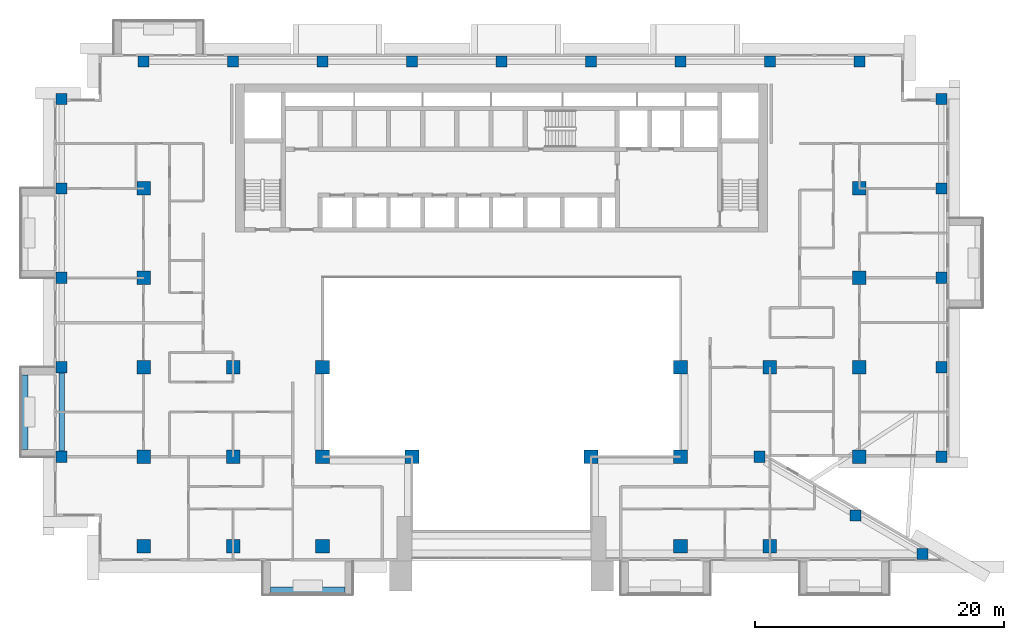
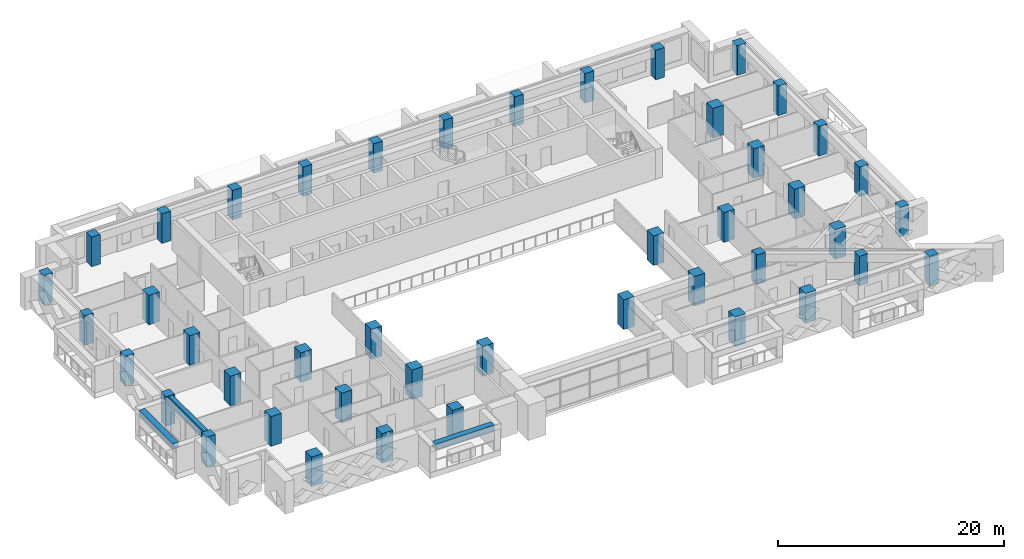
# One storey, part 1 of 20: 44 columns, 3 beams.
"""IFC4 building model written with IfcOpenShell, lengths in metres."""

from ifc_helpers import new_model, si_unit, direction, frame, origin, origin_2d, place, context, subcontext, project, spatial, rectangle, extrude, source, transform, mapped, material, material_profile, profile_set, type_object, element, save


model = new_model("IFC4")

# Units and contexts
model_context = context("Model", 3, precision=1e-05, world=origin(), true_north=direction((0.0, 1.0)))
body_context = subcontext(model_context, "Body", "Model", "MODEL_VIEW")
ifc_project = project(units=[si_unit("LENGTHUNIT", "METRE"), si_unit("AREAUNIT", "SQUARE_METRE"), si_unit("VOLUMEUNIT", "CUBIC_METRE"), si_unit("PLANEANGLEUNIT", "RADIAN"), si_unit("MASSUNIT", "GRAM", prefix="KILO")], contexts=[model_context])

# Site, building, storey
site_placement = place(None, origin())
site = spatial("IfcSite", under=ifc_project, at=site_placement, CompositionType="ELEMENT")
building_placement = place(site_placement, origin())
building = spatial("IfcBuilding", under=site, at=building_placement, Name="Saffron Iwan Residences", CompositionType="ELEMENT")
storey_placement = place(building_placement, frame((0.0, 0.0, 130.5)))
storey = spatial("IfcBuildingStorey", under=building, at=storey_placement, Name="L34", CompositionType="ELEMENT", Elevation=130.5)

# Columns
ifc_material_1 = material(Name="Concrete C50/60", Category="concrete")
ifc_material_profile_1 = material_profile(ifc_material_1, rectangle(XDim=1.10009765625, YDim=1.10009765625, at=origin_2d()), Name="RC 1100x1100")
ifc_profile_set_1 = profile_set([ifc_material_profile_1], Name="Concrete C50/60")
column_type_1 = type_object("IfcColumnType", Name="COL RC 1100x1100 C50/60 3200 HIGH", PredefinedType="COLUMN", material=ifc_profile_set_1)
shared_shape_1 = source(origin(), body_context, "Body", "SweptSolid", [
    extrude(rectangle(XDim=1.10009765625, YDim=1.10009765625, at=origin_2d()), origin(), (0.0, 0.0, 1.0), 3.199951171875),
])
for number, where, z_axis, x_axis, name in (
    (1, (21.60009765625, 40.800048828125, 0.0), (0.0, 0.0, 1.0), (1.0, 0.0, 0.0), "Column C049"),
    (2, (28.800048828125, 40.800048828125, 0.0), (0.0, 0.0, 1.0), (1.0, 0.0, 0.0), "Column C051"),
    (3, (36.0, 40.800048828125, 0.0), (0.0, 0.0, 1.0), (1.0, 0.0, 0.0), "Column C052"),
    (4, (64.800048828125, 40.800048828125, 0.0), (0.0, 0.0, 1.0), (1.0, 0.0, 0.0), "Column C055"),
    (5, (72.0, 40.800048828125, 0.0), (0.0, 0.0, 1.0), (1.0, 0.0, 0.0), "Column C056"),
    (6, (21.60009765625, 48.0, 0.0), (0.0, 0.0, 1.0), (1.0, 0.0, 0.0), "Column C063"),
    (7, (28.800048828125, 48.0, 0.0), (0.0, 0.0, 1.0), (1.0, 0.0, 0.0), "Column C064"),
    (8, (36.0, 48.0, 0.0), (0.0, 0.0, 1.0), (1.0, 0.0, 0.0), "Column C065"),
    (9, (43.199951171875, 48.0, 0.0), (0.0, 0.0, 1.0), (1.0, 0.0, 0.0), "Column C066"),
    (10, (57.60009765625, 48.0, 0.0), (0.0, 0.0, 1.0), (1.0, 0.0, 0.0), "Column C068"),
    (11, (64.800048828125, 48.0, 0.0), (0.0, 0.0, 1.0), (1.0, 0.0, 0.0), "Column C069"),
    (12, (79.199951171875, 48.0, 0.0), (0.0, 0.0, 1.0), (1.0, 0.0, 0.0), "Column C072"),
    (13, (21.60009765625, 55.199951171875, 0.0), (0.0, 0.0, 1.0), (1.0, 0.0, 0.0), "Column C079"),
    (14, (28.800048828125, 55.199951171875, 0.0), (0.0, 0.0, 1.0), (1.0, 0.0, 0.0), "Column C080"),
    (15, (36.0, 55.199951171875, 0.0), (0.0, 0.0, 1.0), (1.0, 0.0, 0.0), "Column C081"),
    (16, (64.800048828125, 55.199951171875, 0.0), (0.0, 0.0, 1.0), (1.0, 0.0, 0.0), "Column C082"),
    (17, (72.0, 55.199951171875, 0.0), (0.0, 0.0, 1.0), (1.0, 0.0, 0.0), "Column C083"),
    (18, (79.199951171875, 55.199951171875, 0.0), (0.0, 0.0, 1.0), (1.0, 0.0, 0.0), "Column C084"),
    (19, (21.60009765625, 62.39990234375, 0.0), (0.0, 0.0, 1.0), (1.0, 0.0, 0.0), "Column C091"),
    (20, (79.199951171875, 62.39990234375, 0.0), (0.0, 0.0, 1.0), (1.0, 0.0, 0.0), "Column C092"),
    (21, (21.60009765625, 69.60009765625, 0.0), (0.0, 0.0, 1.0), (1.0, 0.0, 0.0), "Column C099"),
    (22, (79.199951171875, 69.60009765625, 0.0), (0.0, 0.0, 1.0), (1.0, 0.0, 0.0), "Column C100"),
):
    element("IfcColumn", number, at=place(storey_placement, frame(where, z_axis=z_axis, x_axis=x_axis)), inside=storey, type_object=column_type_1, Name=name, PredefinedType="COLUMN", context=body_context, shape_type="MappedRepresentation", body=[
        mapped(shared_shape_1, transform((0.0, 0.0, 0.0))),
    ])
ifc_material_profile_2 = material_profile(ifc_material_1, rectangle(XDim=0.89990234375, YDim=0.89990234375, at=origin_2d()), Name="RC 900x900")
ifc_profile_set_2 = profile_set([ifc_material_profile_2], Name="Concrete C50/60")
column_type_2 = type_object("IfcColumnType", Name="COL RC 900x900 C50/60 3200 HIGH", PredefinedType="COLUMN", material=ifc_profile_set_2)
shared_shape_2 = source(origin(), body_context, "Body", "SweptSolid", [
    extrude(rectangle(XDim=0.89990234375, YDim=0.89990234375, at=origin_2d()), origin(), (0.0, 0.0, 1.0), 3.199951171875),
])
for number, where, z_axis, x_axis, name in (
    (23, (84.276123046875, 40.17431640625, 0.0), (0.0, 0.0, 1.0), (1.0, 0.0, 0.0), "Column C045"),
    (24, (78.897705078125, 43.28173828125, 0.0), (0.0, 0.0, 1.0), (1.0, 0.0, 0.0), "Column C058"),
    (25, (15.0, 48.0, 0.0), (0.0, 0.0, 1.0), (1.0, 0.0, 0.0), "Column C061"),
    (26, (71.14990234375, 48.0, 0.0), (0.0, 0.0, 1.0), (1.0, 0.0, 0.0), "Column C070"),
    (27, (85.800048828125, 48.0, 0.0), (0.0, 0.0, 1.0), (1.0, 0.0, 0.0), "Column C074"),
    (28, (15.0, 55.199951171875, 0.0), (0.0, 0.0, 1.0), (1.0, 0.0, 0.0), "Column C077"),
    (29, (85.800048828125, 55.199951171875, 0.0), (0.0, 0.0, 1.0), (1.0, 0.0, 0.0), "Column C086"),
    (30, (15.0, 62.39990234375, 0.0), (0.0, 0.0, 1.0), (1.0, 0.0, 0.0), "Column C089"),
    (31, (85.800048828125, 62.39990234375, 0.0), (0.0, 0.0, 1.0), (1.0, 0.0, 0.0), "Column C094"),
    (32, (15.0, 69.60009765625, 0.0), (0.0, 0.0, 1.0), (1.0, 0.0, 0.0), "Column C097"),
    (33, (85.800048828125, 69.60009765625, 0.0), (0.0, 0.0, 1.0), (1.0, 0.0, 0.0), "Column C102"),
    (34, (15.0, 76.800048828125, 0.0), (0.0, 0.0, 1.0), (1.0, 0.0, 0.0), "Column C105"),
    (35, (85.800048828125, 76.800048828125, 0.0), (0.0, 0.0, 1.0), (1.0, 0.0, 0.0), "Column C110"),
    (36, (21.60009765625, 79.800048828125, 0.0), (0.0, 0.0, 1.0), (1.0, 0.0, 0.0), "Column C113"),
    (37, (28.800048828125, 79.800048828125, 0.0), (0.0, 0.0, 1.0), (1.0, 0.0, 0.0), "Column C115"),
    (38, (36.0, 79.800048828125, 0.0), (0.0, 0.0, 1.0), (1.0, 0.0, 0.0), "Column C116"),
    (39, (43.199951171875, 79.800048828125, 0.0), (0.0, 0.0, 1.0), (1.0, 0.0, 0.0), "Column C117"),
    (40, (50.39990234375, 79.800048828125, 0.0), (0.0, 0.0, 1.0), (1.0, 0.0, 0.0), "Column C118"),
    (41, (57.60009765625, 79.800048828125, 0.0), (0.0, 0.0, 1.0), (1.0, 0.0, 0.0), "Column C119"),
    (42, (64.800048828125, 79.800048828125, 0.0), (0.0, 0.0, 1.0), (1.0, 0.0, 0.0), "Column C120"),
    (43, (72.0, 79.800048828125, 0.0), (0.0, 0.0, 1.0), (1.0, 0.0, 0.0), "Column C121"),
    (44, (79.199951171875, 79.800048828125, 0.0), (0.0, 0.0, 1.0), (1.0, 0.0, 0.0), "Column C123"),
):
    element("IfcColumn", number, at=place(storey_placement, frame(where, z_axis=z_axis, x_axis=x_axis)), inside=storey, type_object=column_type_2, Name=name, PredefinedType="COLUMN", context=body_context, shape_type="MappedRepresentation", body=[
        mapped(shared_shape_2, transform((0.0, 0.0, 0.0))),
    ])

# Beams
ifc_material_profile_3 = material_profile(ifc_material_1, rectangle(XDim=0.449951171875, YDim=0.89990234375, at=origin_2d()), Name="RC 450x900")
ifc_profile_set_3 = profile_set([ifc_material_profile_3], Name="Concrete C50/60")
beam_type_1 = type_object("IfcBeamType", Name="SPANDREL BEAM RC 450x900 C50/60 TOP 3200", PredefinedType="SPANDREL", material=ifc_profile_set_3)
shared_shape_3 = source(origin(), body_context, "Body", "SweptSolid", [
    extrude(rectangle(XDim=0.449951171875, YDim=0.89990234375, at=origin_2d()), origin(), (0.0, 0.0, 1.0), 6.300048828125),
])
beam_placement = place(storey_placement, frame((15.0, 48.449951171875, 2.75), z_axis=(0.0, 1.0, 0.0), x_axis=(-1.0, 0.0, 0.0)))
element("IfcBeam", 45, at=beam_placement, inside=storey, type_object=beam_type_1, Name="Spandrel beam", PredefinedType="SPANDREL", context=body_context, shape_type="MappedRepresentation", body=[
    mapped(shared_shape_3, transform((0.0, 0.0, 0.0))),
])
ifc_material_2 = material(Name="Concrete C50/60 white painted", Category="concrete")
ifc_material_profile_4 = material_profile(ifc_material_2, rectangle(XDim=0.60009765625, YDim=0.60009765625, at=origin_2d()), Name="BALCONY FASCIA BEAM 600 x 600")
ifc_profile_set_4 = profile_set([ifc_material_profile_4], Name="Concrete C50/60 white painted")
beam_type_2 = type_object("IfcBeamType", Name="BALCONY FASCIA BEAM 600 x 600", PredefinedType="BEAM", material=ifc_profile_set_4)
shared_shape_4 = source(origin(), body_context, "Body", "SweptSolid", [
    extrude(rectangle(XDim=0.60009765625, YDim=0.60009765625, at=origin_2d()), origin(), (0.0, 0.0, 1.0), 6.0),
])
for number, where, z_axis, x_axis, name in (
    (46, (12.0, 54.60009765625, 2.550048828125), (0.0, -1.0, 0.0), (1.0, 0.0, 0.0), "Balcony fascia beam L34 F8-1"),
    (47, (31.800048828125, 37.199951171875, 2.550048828125), (1.0, 0.0, 0.0), (0.0, 1.0, 0.0), "Balcony fascia beam L34 11-0"),
):
    element("IfcBeam", number, at=place(storey_placement, frame(where, z_axis=z_axis, x_axis=x_axis)), inside=storey, type_object=beam_type_2, Name=name, PredefinedType="BEAM", context=body_context, shape_type="MappedRepresentation", body=[
        mapped(shared_shape_4, transform((0.0, 0.0, 0.0))),
    ])

save(model, "model.ifc")
